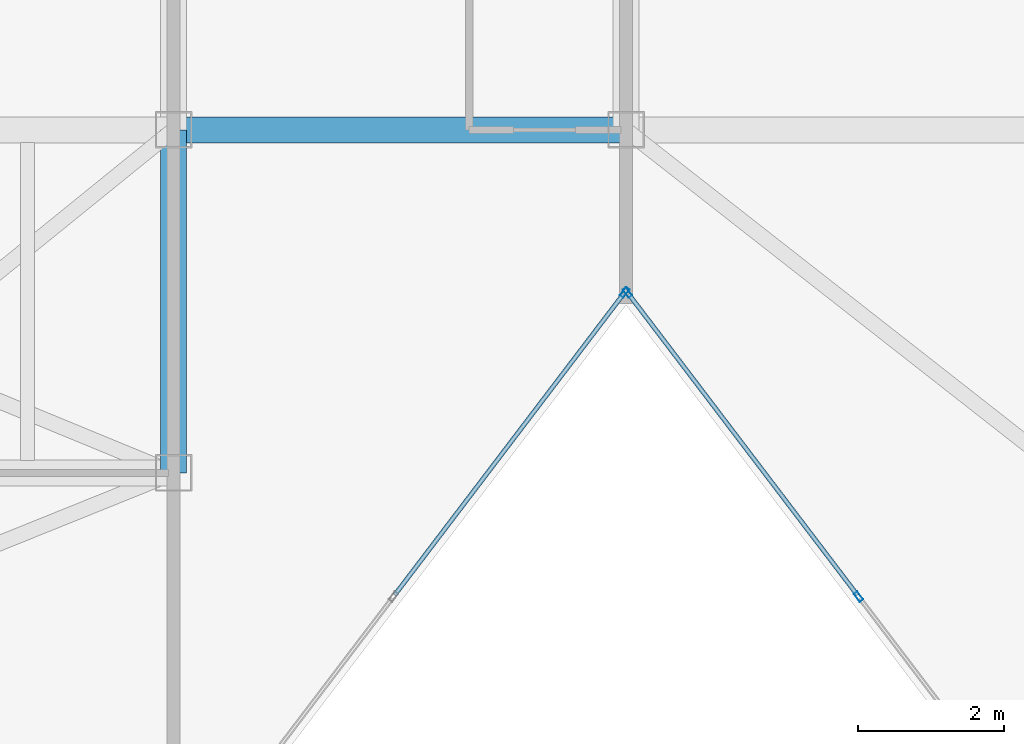
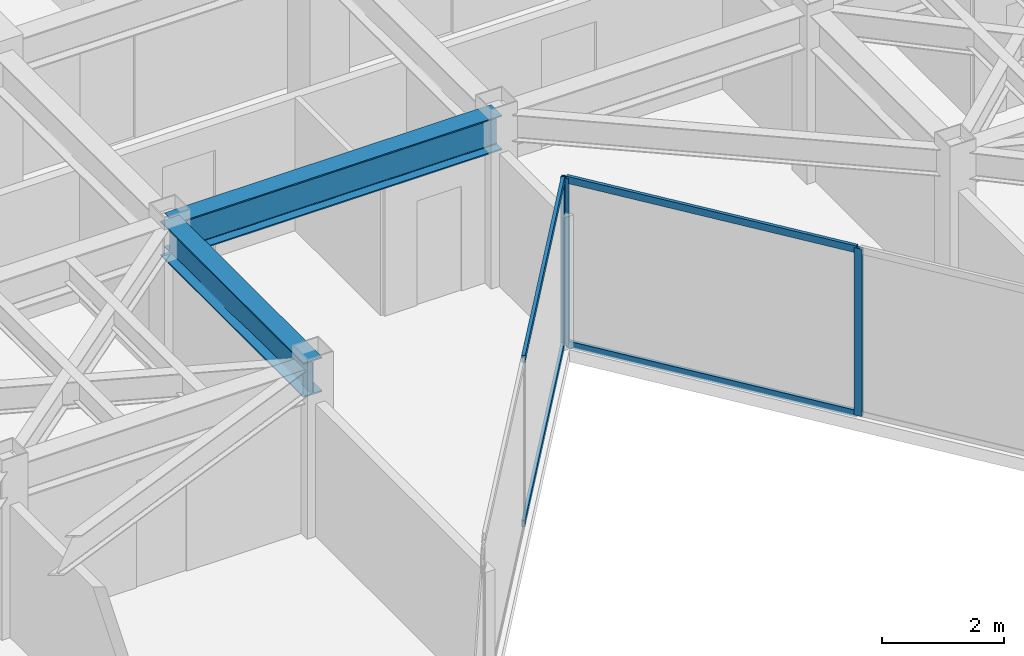
# One storey, part 8 of 20: 7 members, 2 beams, 2 elements without a shape of their own.
"""IFC4 building model written with IfcOpenShell, lengths in metres."""

from ifc_helpers import new_model, si_unit, direction, frame, origin, origin_2d, place, context, subcontext, project, spatial, hollow_rectangle, i_section, extrude, material, layer, layer_set, material_profile, profile_set, type_object, element, aggregate, save


model = new_model("IFC4")

# Units and contexts
model_context = context("Model", 3, precision=1e-05, world=origin(), true_north=direction((0.0, 1.0)))
body_context = subcontext(model_context, "Body", "Model", "MODEL_VIEW")
ifc_project = project(units=[si_unit("LENGTHUNIT", "METRE"), si_unit("AREAUNIT", "SQUARE_METRE"), si_unit("VOLUMEUNIT", "CUBIC_METRE"), si_unit("PLANEANGLEUNIT", "RADIAN"), si_unit("MASSUNIT", "GRAM", prefix="KILO")], contexts=[model_context])

# Site, building, storey
site_placement = place(None, origin())
site = spatial("IfcSite", under=ifc_project, at=site_placement, CompositionType="ELEMENT")
building_placement = place(site_placement, origin())
building = spatial("IfcBuilding", under=site, at=building_placement, Name="Kravanh Interchange Tower", CompositionType="ELEMENT")
storey_placement = place(building_placement, frame((0.0, 0.0, 234.60009765625)))
storey = spatial("IfcBuildingStorey", under=building, at=storey_placement, Name="L56", CompositionType="ELEMENT", Elevation=234.60009765625)

# Curtain wall, members
ifc_material_1 = material(Name="Anodised Bronze Aluminium", Category="aluminium")
ifc_layer = layer(ifc_material_1, 0.179931640625)
ifc_layer_set = layer_set([ifc_layer], Name="Unitised Curtain Wall System CW-HTL Luxury Hotel")
curtain_wall_type = type_object("IfcCurtainWallType", Name="Unitised Curtain Wall System CW-HTL Luxury Hotel", PredefinedType="NOTDEFINED", material=ifc_layer_set)
curtain_wall_1_placement = place(storey_placement, origin())
curtain_wall_1 = element("IfcCurtainWall", 1, at=curtain_wall_1_placement, inside=storey, type_object=curtain_wall_type, Name="L56 Unitised Curtain Wall CW-L56-04", PredefinedType="NOTDEFINED")
ifc_material_2 = material(Name="Anodised Bronze Aluminium", Category="aluminium")
ifc_material_profile_1 = material_profile(ifc_material_2, hollow_rectangle(XDim=0.06005859375, YDim=0.139892578125, WallThickness=0.00390625, at=origin_2d()), Name="ALU60X140X4")
ifc_profile_set_1 = profile_set([ifc_material_profile_1], Name="Anodised Bronze Aluminium")
member_type_1 = type_object("IfcMemberType", Name="Curtain Wall Mullion ALU60X140X4 Bronze", PredefinedType="MULLION", material=ifc_profile_set_1)
member_1_placement = place(storey_placement, frame((47.986572265625, 25.10546875, 0.0), z_axis=(0.0, 0.0, 1.0), x_axis=(-0.79616243806, -0.605082946564, 0.0)))
member_1 = element("IfcMember", 2, at=member_1_placement, type_object=member_type_1, Name="CW-HTL mullion 3", PredefinedType="MULLION", context=body_context, shape_type="SweptSolid", body=[
    extrude(hollow_rectangle(XDim=0.06005859375, YDim=0.139892578125, WallThickness=0.00390625, at=origin_2d()), origin(), (0.0, 0.0, 1.0), 3.35986328125),
])
member_2_placement = place(storey_placement, frame((44.818115234375, 29.2744140625, 0.0), z_axis=(0.0, 0.0, 1.0), x_axis=(-0.79616243806, -0.605082946564, 0.0)))
member_2 = element("IfcMember", 3, at=member_2_placement, type_object=member_type_1, Name="CW-HTL mullion 4", PredefinedType="MULLION", context=body_context, shape_type="SweptSolid", body=[
    extrude(hollow_rectangle(XDim=0.06005859375, YDim=0.139892578125, WallThickness=0.00390625, at=origin_2d()), origin(), (0.0, 0.0, 1.0), 3.35986328125),
])

# Curtain wall, member
curtain_wall_2_placement = place(storey_placement, origin())
curtain_wall_2 = element("IfcCurtainWall", 4, at=curtain_wall_2_placement, inside=storey, type_object=curtain_wall_type, Name="L56 Unitised Curtain Wall CW-L56-05", PredefinedType="NOTDEFINED")
member_3_placement = place(storey_placement, frame((44.78173828125, 29.2744140625, 0.0), z_axis=(0.0, 0.0, 1.0), x_axis=(0.79616243806, -0.605082946564, 0.0)))
member_3 = element("IfcMember", 5, at=member_3_placement, type_object=member_type_1, Name="CW-HTL mullion 1", PredefinedType="MULLION", context=body_context, shape_type="SweptSolid", body=[
    extrude(hollow_rectangle(XDim=0.06005859375, YDim=0.139892578125, WallThickness=0.00390625, at=origin_2d()), origin(), (0.0, 0.0, 1.0), 3.35986328125),
])

# Member
ifc_material_3 = material(Name="Anodised Bronze Aluminium", Category="aluminium")
ifc_material_profile_2 = material_profile(ifc_material_3, hollow_rectangle(XDim=0.06005859375, YDim=0.139892578125, WallThickness=0.00390625, at=origin_2d()), Name="ALU60X140X4")
ifc_profile_set_2 = profile_set([ifc_material_profile_2], Name="Anodised Bronze Aluminium")
member_type_2 = type_object("IfcMemberType", Name="Curtain Wall Transom ALU60X140X4 Bronze", PredefinedType="USERDEFINED", material=ifc_profile_set_2)
member_4_placement = place(storey_placement, frame((47.96826171875, 25.12939453125, 0.02978515625), z_axis=(-0.605059348861, 0.796180371747, 0.0), x_axis=(-0.796180371747, -0.605059348861, 0.0)))
member_4 = element("IfcMember", 6, at=member_4_placement, type_object=member_type_2, Name="CW-HTL transom 3.1", ObjectType="TRANSOM", PredefinedType="USERDEFINED", context=body_context, shape_type="SweptSolid", body=[
    extrude(hollow_rectangle(XDim=0.06005859375, YDim=0.139892578125, WallThickness=0.00390625, at=origin_2d()), origin(), (0.0, 0.0, 1.0), 5.176025390625),
])

member_5_placement = place(storey_placement, frame((47.96826171875, 25.12939453125, 3.329833984375), z_axis=(-0.605059348861, 0.796180371747, 0.0), x_axis=(-0.796180371747, -0.605059348861, 0.0)))
member_5 = element("IfcMember", 7, at=member_5_placement, type_object=member_type_2, Name="CW-HTL transom 3.2", ObjectType="TRANSOM", PredefinedType="USERDEFINED", context=body_context, shape_type="SweptSolid", body=[
    extrude(hollow_rectangle(XDim=0.06005859375, YDim=0.139892578125, WallThickness=0.00390625, at=origin_2d()), origin(), (0.0, 0.0, 1.0), 5.176025390625),
])

aggregate(curtain_wall_1, [member_1, member_2, member_4, member_5])

member_6_placement = place(storey_placement, frame((44.763671875, 29.25048828125, 0.02978515625), z_axis=(-0.605089246946, -0.796157649734, 0.0), x_axis=(0.796157649734, -0.605089246946, 0.0)))
member_6 = element("IfcMember", 8, at=member_6_placement, type_object=member_type_2, Name="CW-HTL transom 1.1", ObjectType="TRANSOM", PredefinedType="USERDEFINED", context=body_context, shape_type="SweptSolid", body=[
    extrude(hollow_rectangle(XDim=0.06005859375, YDim=0.139892578125, WallThickness=0.00390625, at=origin_2d()), origin(), (0.0, 0.0, 1.0), 5.17626953125),
])

member_7_placement = place(storey_placement, frame((44.763671875, 29.25048828125, 3.329833984375), z_axis=(-0.605089246946, -0.796157649734, 0.0), x_axis=(0.796157649734, -0.605089246946, 0.0)))
member_7 = element("IfcMember", 9, at=member_7_placement, type_object=member_type_2, Name="CW-HTL transom 1.2", ObjectType="TRANSOM", PredefinedType="USERDEFINED", context=body_context, shape_type="SweptSolid", body=[
    extrude(hollow_rectangle(XDim=0.06005859375, YDim=0.139892578125, WallThickness=0.00390625, at=origin_2d()), origin(), (0.0, 0.0, 1.0), 5.17626953125),
])

aggregate(curtain_wall_2, [member_3, member_6, member_7])

# Beams
ifc_material_4 = material(Name="Structural Steel S355", Category="steel")
ifc_material_profile_3 = material_profile(ifc_material_4, i_section(OverallWidth=0.35498046875, OverallDepth=0.696044921875, WebThickness=0.015380859375, FlangeThickness=0.02490234375, FilletRadius=0.02392578125, at=origin_2d()), Name="W27X146")
ifc_profile_set_3 = profile_set([ifc_material_profile_3], Name="Structural Steel S355")
beam_type = type_object("IfcBeamType", Name="Floor Beam W27X146 Structural Steel S355", PredefinedType="BEAM", material=ifc_profile_set_3)
beam_1_placement = place(storey_placement, frame((44.800048828125, 31.5, 3.011962890625), z_axis=(-1.0, 0.0, 0.0), x_axis=(0.0, -1.0, 0.0)))
element("IfcBeam", 10, at=beam_1_placement, inside=storey, type_object=beam_type, Name="L56 Primary Floor Girder 3", PredefinedType="BEAM", context=body_context, shape_type="SweptSolid", body=[
    extrude(i_section(OverallWidth=0.35498046875, OverallDepth=0.696044921875, WebThickness=0.015380859375, FlangeThickness=0.02490234375, FilletRadius=0.02392578125, at=origin_2d()), origin(), (0.0, 0.0, 1.0), 6.199951171875),
])
beam_2_placement = place(storey_placement, frame((38.60009765625, 31.5, 3.011962890625), z_axis=(0.0, -1.0, 0.0), x_axis=(1.0, 0.0, 0.0)))
element("IfcBeam", 11, at=beam_2_placement, inside=storey, type_object=beam_type, Name="L56 Primary Floor Girder 17", PredefinedType="BEAM", context=body_context, shape_type="SweptSolid", body=[
    extrude(i_section(OverallWidth=0.35498046875, OverallDepth=0.696044921875, WebThickness=0.015380859375, FlangeThickness=0.02490234375, FilletRadius=0.02392578125, at=origin_2d()), origin(), (0.0, 0.0, 1.0), 4.699951171875),
])

save(model, "model.ifc")
